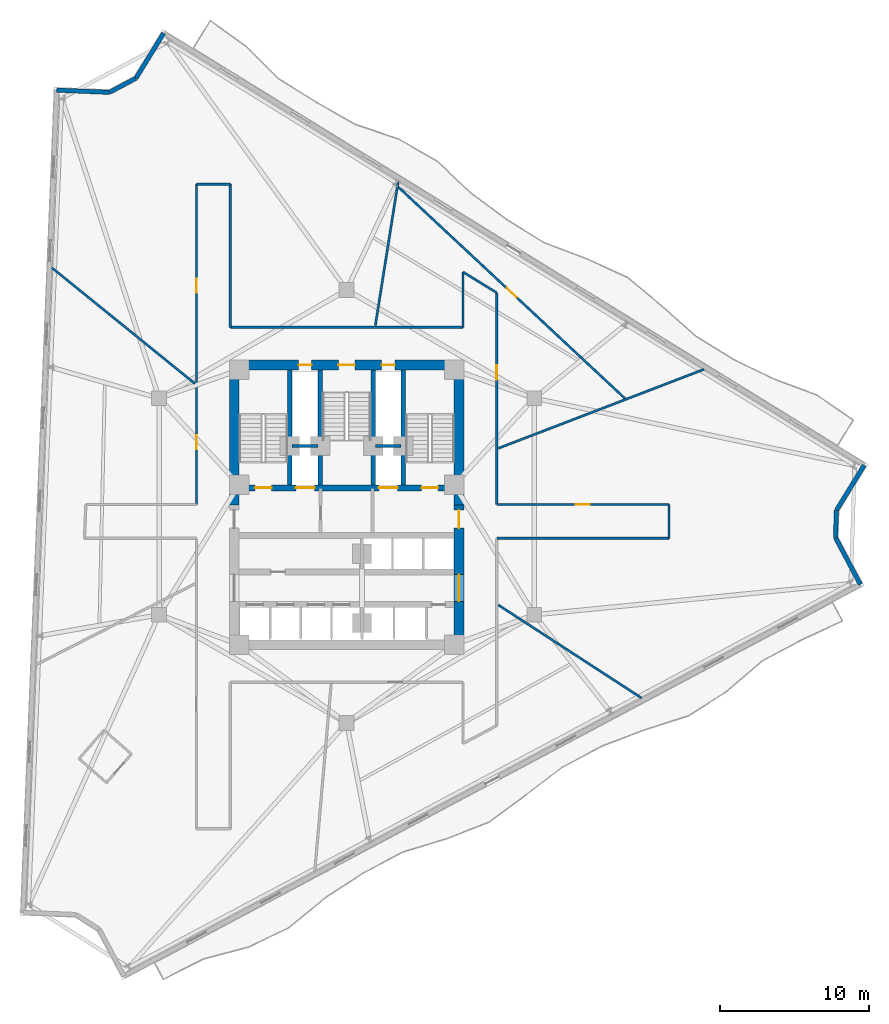
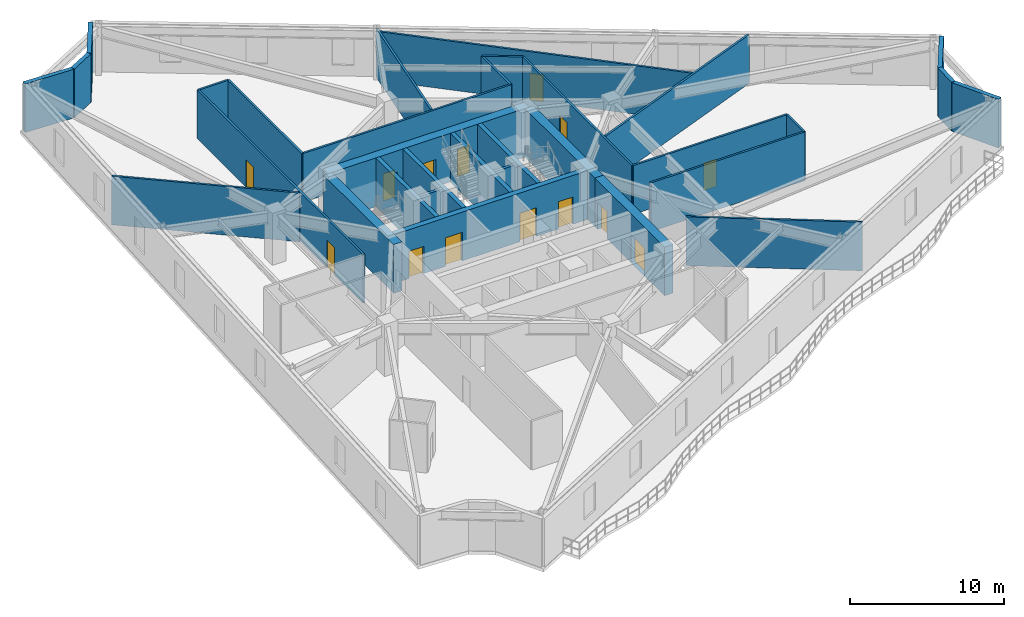
# One storey, part 7 of 11: 32 walls, 14 doors, 14 openings.
"""IFC4 building model written with IfcOpenShell, lengths in metres."""

from ifc_helpers import new_model, si_unit, direction, frame, frame_2d, origin, place, context, subcontext, project, spatial, rectangle, extrude, material, layer, layer_set, type_object, element, fill, save


model = new_model("IFC4")

# Units and contexts
model_context = context("Model", 3, precision=1e-05, world=origin(), true_north=direction((0.0, 1.0)))
body_context = subcontext(model_context, "Body", "Model", "MODEL_VIEW")
ifc_project = project(units=[si_unit("LENGTHUNIT", "METRE"), si_unit("AREAUNIT", "SQUARE_METRE"), si_unit("VOLUMEUNIT", "CUBIC_METRE"), si_unit("PLANEANGLEUNIT", "RADIAN"), si_unit("MASSUNIT", "GRAM", prefix="KILO")], contexts=[model_context])

# Site, building, storey
site_placement = place(None, origin())
site = spatial("IfcSite", under=ifc_project, at=site_placement, CompositionType="ELEMENT")
building_placement = place(site_placement, origin())
building = spatial("IfcBuilding", under=site, at=building_placement, Name="Apsidion Concourse Tower", CompositionType="ELEMENT")
storey_placement = place(building_placement, frame((0.0, 0.0, 186.0)))
storey = spatial("IfcBuildingStorey", under=building, at=storey_placement, Name="L43", CompositionType="ELEMENT", Elevation=186.0)

# Walls
ifc_material_1 = material(Name="Precast concrete C40/50", Category="concrete")
ifc_layer_1 = layer(ifc_material_1, 0.300048828125)
ifc_layer_set_1 = layer_set([ifc_layer_1], Name="Precast concrete C40/50")
wall_type_1 = type_object("IfcWallType", Name="WL-EXT-300", PredefinedType="STANDARD", material=ifc_layer_set_1)
wall_1_placement = place(storey_placement, frame((34.653076171875, 2.76171875, 0.0), z_axis=(0.0, 0.0, 1.0), x_axis=(-0.524920336071, -0.85115136185, 0.0)))
element("IfcWall", 1, at=wall_1_placement, inside=storey, type_object=wall_type_1, Name="L43 Precast Stone Facade Wall 02", PredefinedType="STANDARD", context=body_context, shape_type="SweptSolid", body=[
    extrude(rectangle(XDim=3.541259765625, YDim=0.300048828125, at=frame_2d((1.7705078125, 0.0))), origin(), (0.0, 0.0, 1.0), 3.85009765625),
])
wall_2_placement = place(storey_placement, frame((32.794189453125, -0.25244140625, 0.0), z_axis=(0.0, 0.0, 1.0), x_axis=(-0.031873247483, -0.999491918974, 0.0)))
element("IfcWall", 2, at=wall_2_placement, inside=storey, type_object=wall_type_1, Name="L43 Precast Stone Facade Wall 03", PredefinedType="STANDARD", context=body_context, shape_type="SweptSolid", body=[
    extrude(rectangle(XDim=1.83837890625, YDim=0.300048828125, at=frame_2d((0.919189453125, 0.0))), origin(), (0.0, 0.0, 1.0), 3.85009765625),
])
wall_3_placement = place(storey_placement, frame((32.735595703125, -2.08984375, 0.0), z_axis=(0.0, 0.0, 1.0), x_axis=(0.469464339615, -0.882951433449, 0.0)))
element("IfcWall", 3, at=wall_3_placement, inside=storey, type_object=wall_type_1, Name="L43 Precast Stone Facade Wall 04", PredefinedType="STANDARD", context=body_context, shape_type="SweptSolid", body=[
    extrude(rectangle(XDim=3.54150390625, YDim=0.300048828125, at=frame_2d((1.770751953125, 0.0))), origin(), (0.0, 0.0, 1.0), 3.85009765625),
])
wall_4_placement = place(storey_placement, frame((-19.418212890625, 27.880126953125, 0.0), z_axis=(0.0, 0.0, 1.0), x_axis=(0.999167250485, -0.040802028853, 0.0)))
element("IfcWall", 4, at=wall_4_placement, inside=storey, type_object=wall_type_1, Name="L43 Precast Stone Facade Wall 10", PredefinedType="STANDARD", context=body_context, shape_type="SweptSolid", body=[
    extrude(rectangle(XDim=3.542236328125, YDim=0.300048828125, at=frame_2d((1.77099609375, 0.0))), origin(), (0.0, 0.0, 1.0), 3.85009765625),
])
wall_5_placement = place(storey_placement, frame((-15.87890625, 27.735595703125, 0.0), z_axis=(0.0, 0.0, 1.0), x_axis=(0.882930579665, 0.469503558552, 0.0)))
element("IfcWall", 5, at=wall_5_placement, inside=storey, type_object=wall_type_1, Name="L43 Precast Stone Facade Wall 11", PredefinedType="STANDARD", context=body_context, shape_type="SweptSolid", body=[
    extrude(rectangle(XDim=1.998291015625, YDim=0.300048828125, at=frame_2d((0.9990234375, 0.0))), origin(), (0.0, 0.0, 1.0), 3.85009765625),
])
wall_6_placement = place(storey_placement, frame((-14.114501953125, 28.673828125, 0.0), z_axis=(0.0, 0.0, 1.0), x_axis=(0.524897025004, 0.851165737763, 0.0)))
element("IfcWall", 6, at=wall_6_placement, inside=storey, type_object=wall_type_1, Name="L43 Precast Stone Facade Wall 12", PredefinedType="STANDARD", context=body_context, shape_type="SweptSolid", body=[
    extrude(rectangle(XDim=3.54248046875, YDim=0.300048828125, at=frame_2d((1.771240234375, 0.0))), origin(), (0.0, 0.0, 1.0), 3.85009765625),
])

# Wall, openings, doors
ifc_material_2 = material(Name="Gypsum plasterboard partition")
ifc_layer_2 = layer(ifc_material_2, 0.14990234375)
ifc_layer_set_2 = layer_set([ifc_layer_2], Name="Gypsum plasterboard partition")
wall_type_2 = type_object("IfcWallType", Name="WL-INT-PAR-150", PredefinedType="PARTITIONING", material=ifc_layer_set_2)
wall_7_placement = place(storey_placement, frame((-10.050048828125, 0.1298828125, 0.0), z_axis=(0.0, 0.0, 1.0), x_axis=(0.0, 1.0, 0.0)))
wall_7 = element("IfcWall", 7, at=wall_7_placement, inside=storey, type_object=wall_type_2, Name="L43 Interior Partition WL-L43-CORR-10", PredefinedType="PARTITIONING", context=body_context, shape_type="SweptSolid", body=[
    extrude(rectangle(XDim=21.4501953125, YDim=0.14990234375, at=frame_2d((10.72509765625, 0.0))), origin(), (0.0, 0.0, 1.0), 3.85009765625),
])
opening_1_placement = place(wall_7_placement, frame((14.171142578125, 0.0, 0.0)))
opening_1 = element("IfcOpeningElement", 8, at=opening_1_placement, cuts=wall_7, Name="Opening D-01L", PredefinedType="OPENING", context=body_context, shape_type="SweptSolid", body=[
    extrude(rectangle(XDim=0.949951171875, YDim=2.14990234375, at=frame_2d((0.47509765625, 1.074951171875))), frame((0.0, 0.0849609375, 0.0), z_axis=(0.0, -1.0, 0.0), x_axis=(1.0, 0.0, 0.0)), (0.0, 0.0, 1.0), 0.169921875),
])
opening_2_placement = place(wall_7_placement, frame((3.69921875, 0.0, 0.0)))
opening_2 = element("IfcOpeningElement", 9, at=opening_2_placement, cuts=wall_7, Name="Opening D-01R", PredefinedType="OPENING", context=body_context, shape_type="SweptSolid", body=[
    extrude(rectangle(XDim=0.949951171875, YDim=2.14990234375, at=frame_2d((0.47509765625, 1.074951171875))), frame((0.0, 0.0849609375, 0.0), z_axis=(0.0, -1.0, 0.0), x_axis=(1.0, 0.0, 0.0)), (0.0, 0.0, 1.0), 0.169921875),
])
ifc_material_3 = material(Name="Brushed stainless steel 316", Category="steel")
door_type_1 = type_object("IfcDoorType", Name="DR-INT-D01L", OperationType="SINGLE_SWING_LEFT", PredefinedType="DOOR", material=ifc_material_3)
door_1_placement = place(opening_1_placement, origin())
door_1 = element("IfcDoor", 10, at=door_1_placement, inside=storey, type_object=door_type_1, Name="L43 Corridor Entry Door 05", OperationType="SINGLE_SWING_LEFT", OverallHeight=2.14990234375, OverallWidth=0.949951171875, PredefinedType="DOOR", context=body_context, shape_type="SweptSolid", body=[
    extrude(rectangle(XDim=0.949951171875, YDim=2.14990234375, at=frame_2d((0.47509765625, 1.074951171875))), frame((0.0, 0.02490234375, 0.0), z_axis=(0.0, -1.0, 0.0), x_axis=(1.0, 0.0, 0.0)), (0.0, 0.0, 1.0), 0.050048828125),
])
fill(opening_1, door_1)
door_type_2 = type_object("IfcDoorType", Name="DR-INT-D01R", OperationType="SINGLE_SWING_RIGHT", PredefinedType="DOOR", material=ifc_material_3)
door_2_placement = place(opening_2_placement, origin())
door_2 = element("IfcDoor", 11, at=door_2_placement, inside=storey, type_object=door_type_2, Name="L43 Corridor Entry Door 06", OperationType="SINGLE_SWING_RIGHT", OverallHeight=2.14990234375, OverallWidth=0.949951171875, PredefinedType="DOOR", context=body_context, shape_type="SweptSolid", body=[
    extrude(rectangle(XDim=0.949951171875, YDim=2.14990234375, at=frame_2d((0.47509765625, 1.074951171875))), frame((0.0, 0.02490234375, 0.0), z_axis=(0.0, -1.0, 0.0), x_axis=(1.0, 0.0, 0.0)), (0.0, 0.0, 1.0), 0.050048828125),
])
fill(opening_2, door_2)

# Walls
wall_8_placement = place(storey_placement, frame((-10.050048828125, 21.580078125, 0.0), z_axis=(0.0, 0.0, 1.0), x_axis=(1.0, 0.0, 0.0)))
element("IfcWall", 12, at=wall_8_placement, inside=storey, type_object=wall_type_2, Name="L43 Interior Partition WL-L43-CORR-11", PredefinedType="PARTITIONING", context=body_context, shape_type="SweptSolid", body=[
    extrude(rectangle(XDim=2.260009765625, YDim=0.14990234375, at=frame_2d((1.1298828125, 0.0))), origin(), (0.0, 0.0, 1.0), 3.85009765625),
])
wall_9_placement = place(storey_placement, frame((-7.7900390625, 21.580078125, 0.0), z_axis=(0.0, 0.0, 1.0), x_axis=(0.0, -1.0, 0.0)))
element("IfcWall", 13, at=wall_9_placement, inside=storey, type_object=wall_type_2, Name="L43 Interior Partition WL-L43-CORR-12", PredefinedType="PARTITIONING", context=body_context, shape_type="SweptSolid", body=[
    extrude(rectangle(XDim=9.580078125, YDim=0.14990234375, at=frame_2d((4.7900390625, 0.0))), origin(), (0.0, 0.0, 1.0), 3.85009765625),
])
wall_10_placement = place(storey_placement, frame((-7.7900390625, 12.0, 0.0), z_axis=(0.0, 0.0, 1.0), x_axis=(1.0, 0.0, 0.0)))
element("IfcWall", 14, at=wall_10_placement, inside=storey, type_object=wall_type_2, Name="L43 Interior Partition WL-L43-CORR-13", PredefinedType="PARTITIONING", context=body_context, shape_type="SweptSolid", body=[
    extrude(rectangle(XDim=15.580078125, YDim=0.14990234375, at=frame_2d((7.7900390625, 0.0))), origin(), (0.0, 0.0, 1.0), 3.85009765625),
])
wall_11_placement = place(storey_placement, frame((7.7900390625, 12.0, 0.0), z_axis=(0.0, 0.0, 1.0), x_axis=(0.0, 1.0, 0.0)))
element("IfcWall", 15, at=wall_11_placement, inside=storey, type_object=wall_type_2, Name="L43 Interior Partition WL-L43-CORR-14", PredefinedType="PARTITIONING", context=body_context, shape_type="SweptSolid", body=[
    extrude(rectangle(XDim=3.703125, YDim=0.14990234375, at=frame_2d((1.8515625, 0.0))), origin(), (0.0, 0.0, 1.0), 3.85009765625),
])
wall_12_placement = place(storey_placement, frame((7.7900390625, 15.703125, 0.0), z_axis=(0.0, 0.0, 1.0), x_axis=(0.851190724913, -0.52485650403, 0.0)))
element("IfcWall", 16, at=wall_12_placement, inside=storey, type_object=wall_type_2, Name="L43 Interior Partition WL-L43-CORR-15", PredefinedType="PARTITIONING", context=body_context, shape_type="SweptSolid", body=[
    extrude(rectangle(XDim=2.655029296875, YDim=0.14990234375, at=frame_2d((1.32763671875, 0.0))), origin(), (0.0, 0.0, 1.0), 3.85009765625),
])

# Wall, opening, door
wall_13_placement = place(storey_placement, frame((10.050048828125, 14.3095703125, 0.0), z_axis=(0.0, 0.0, 1.0), x_axis=(0.0, -1.0, 0.0)))
wall_13 = element("IfcWall", 17, at=wall_13_placement, inside=storey, type_object=wall_type_2, Name="L43 Interior Partition WL-L43-CORR-16", PredefinedType="PARTITIONING", context=body_context, shape_type="SweptSolid", body=[
    extrude(rectangle(XDim=14.1796875, YDim=0.14990234375, at=frame_2d((7.08984375, 0.0))), origin(), (0.0, 0.0, 1.0), 3.85009765625),
])
opening_3_placement = place(wall_13_placement, frame((4.860595703125, 0.0, 0.0)))
opening_3 = element("IfcOpeningElement", 18, at=opening_3_placement, cuts=wall_13, Name="Opening D-01R", PredefinedType="OPENING", context=body_context, shape_type="SweptSolid", body=[
    extrude(rectangle(XDim=0.949951171875, YDim=2.14990234375, at=frame_2d((0.47509765625, 1.074951171875))), frame((0.0, 0.0849609375, 0.0), z_axis=(0.0, -1.0, 0.0), x_axis=(1.0, 0.0, 0.0)), (0.0, 0.0, 1.0), 0.169921875),
])
door_3_placement = place(opening_3_placement, origin())
door_3 = element("IfcDoor", 19, at=door_3_placement, inside=storey, type_object=door_type_2, Name="L43 Corridor Entry Door 04", OperationType="SINGLE_SWING_RIGHT", OverallHeight=2.14990234375, OverallWidth=0.949951171875, PredefinedType="DOOR", context=body_context, shape_type="SweptSolid", body=[
    extrude(rectangle(XDim=0.949951171875, YDim=2.14990234375, at=frame_2d((0.47509765625, 1.074951171875))), frame((0.0, 0.02490234375, 0.0), z_axis=(0.0, -1.0, 0.0), x_axis=(1.0, 0.0, 0.0)), (0.0, 0.0, 1.0), 0.050048828125),
])
fill(opening_3, door_3)

wall_14_placement = place(storey_placement, frame((10.050048828125, 0.1298828125, 0.0), z_axis=(0.0, 0.0, 1.0), x_axis=(1.0, 0.0, 0.0)))
wall_14 = element("IfcWall", 20, at=wall_14_placement, inside=storey, type_object=wall_type_2, Name="L43 Interior Partition WL-L43-CORR-17", PredefinedType="PARTITIONING", context=body_context, shape_type="SweptSolid", body=[
    extrude(rectangle(XDim=11.530029296875, YDim=0.14990234375, at=frame_2d((5.76513671875, 0.0))), origin(), (0.0, 0.0, 1.0), 3.85009765625),
])
opening_4_placement = place(wall_14_placement, frame((5.2900390625, 0.0, 0.0)))
opening_4 = element("IfcOpeningElement", 21, at=opening_4_placement, cuts=wall_14, Name="Opening D-01L", PredefinedType="OPENING", context=body_context, shape_type="SweptSolid", body=[
    extrude(rectangle(XDim=0.949951171875, YDim=2.14990234375, at=frame_2d((0.47509765625, 1.074951171875))), frame((0.0, 0.0849609375, 0.0), z_axis=(0.0, -1.0, 0.0), x_axis=(1.0, 0.0, 0.0)), (0.0, 0.0, 1.0), 0.169921875),
])
door_4_placement = place(opening_4_placement, origin())
door_4 = element("IfcDoor", 22, at=door_4_placement, inside=storey, type_object=door_type_1, Name="L43 Corridor Entry Door 03", OperationType="SINGLE_SWING_LEFT", OverallHeight=2.14990234375, OverallWidth=0.949951171875, PredefinedType="DOOR", context=body_context, shape_type="SweptSolid", body=[
    extrude(rectangle(XDim=0.949951171875, YDim=2.14990234375, at=frame_2d((0.47509765625, 1.074951171875))), frame((0.0, 0.02490234375, 0.0), z_axis=(0.0, -1.0, 0.0), x_axis=(1.0, 0.0, 0.0)), (0.0, 0.0, 1.0), 0.050048828125),
])
fill(opening_4, door_4)

# Walls
wall_15_placement = place(storey_placement, frame((21.580078125, 0.1298828125, 0.0), z_axis=(0.0, 0.0, 1.0), x_axis=(0.0, -1.0, 0.0)))
element("IfcWall", 23, at=wall_15_placement, inside=storey, type_object=wall_type_2, Name="L43 Interior Partition WL-L43-CORR-18", PredefinedType="PARTITIONING", context=body_context, shape_type="SweptSolid", body=[
    extrude(rectangle(XDim=2.259765625, YDim=0.14990234375, at=frame_2d((1.1298828125, 0.0))), origin(), (0.0, 0.0, 1.0), 3.85009765625),
])
wall_16_placement = place(storey_placement, frame((21.580078125, -2.1298828125, 0.0), z_axis=(0.0, 0.0, 1.0), x_axis=(-1.0, 0.0, 0.0)))
element("IfcWall", 24, at=wall_16_placement, inside=storey, type_object=wall_type_2, Name="L43 Interior Partition WL-L43-CORR-19", PredefinedType="PARTITIONING", context=body_context, shape_type="SweptSolid", body=[
    extrude(rectangle(XDim=11.530029296875, YDim=0.14990234375, at=frame_2d((5.76513671875, 0.0))), origin(), (0.0, 0.0, 1.0), 3.85009765625),
])
wall_17_placement = place(storey_placement, frame((10.155029296875, 3.898193359375, 0.0), z_axis=(0.0, 0.0, 1.0), x_axis=(0.933582173368, 0.358363398759, 0.0)))
element("IfcWall", 25, at=wall_17_placement, inside=storey, type_object=wall_type_2, Name="L43 Interior Partition WL-L43-RAD-01-1", PredefinedType="PARTITIONING", context=body_context, shape_type="SweptSolid", body=[
    extrude(rectangle(XDim=14.74951171875, YDim=0.14990234375, at=frame_2d((7.374755859375, 0.0))), origin(), (0.0, 0.0, 1.0), 3.85009765625),
])
wall_18_placement = place(storey_placement, frame((1.917236328125, 12.10498046875, 0.0), z_axis=(0.0, 0.0, 1.0), x_axis=(0.156446237386, 0.987686475967, 0.0)))
element("IfcWall", 26, at=wall_18_placement, inside=storey, type_object=wall_type_2, Name="L43 Interior Partition WL-L43-RAD-02-1", PredefinedType="PARTITIONING", context=body_context, shape_type="SweptSolid", body=[
    extrude(rectangle(XDim=9.823486328125, YDim=0.14990234375, at=frame_2d((4.91162109375, 0.0))), origin(), (0.0, 0.0, 1.0), 3.85009765625),
])
wall_19_placement = place(storey_placement, frame((-10.155029296875, 8.223388671875, 0.0), z_axis=(0.0, 0.0, 1.0), x_axis=(-0.777144819035, 0.629321801821, 0.0)))
element("IfcWall", 27, at=wall_19_placement, inside=storey, type_object=wall_type_2, Name="L43 Interior Partition WL-L43-RAD-03-1", PredefinedType="PARTITIONING", context=body_context, shape_type="SweptSolid", body=[
    extrude(rectangle(XDim=12.332275390625, YDim=0.14990234375, at=frame_2d((6.166015625, 0.0))), origin(), (0.0, 0.0, 1.0), 3.85009765625),
])
wall_20_placement = place(storey_placement, frame((10.155029296875, -6.5947265625, 0.0), z_axis=(0.0, 0.0, 1.0), x_axis=(0.838665527381, -0.544646796725, 0.0)))
element("IfcWall", 28, at=wall_20_placement, inside=storey, type_object=wall_type_2, Name="L43 Interior Partition WL-L43-RAD-06-1", PredefinedType="PARTITIONING", context=body_context, shape_type="SweptSolid", body=[
    extrude(rectangle(XDim=11.43310546875, YDim=0.14990234375, at=frame_2d((5.716552734375, 0.0))), origin(), (0.0, 0.0, 1.0), 3.85009765625),
])

# Wall, opening, door
wall_21_placement = place(storey_placement, frame((18.675048828125, 7.195556640625, 0.0), z_axis=(0.0, 0.0, 1.0), x_axis=(-0.731248253025, 0.682111422312, 0.0)))
wall_21 = element("IfcWall", 29, at=wall_21_placement, inside=storey, type_object=wall_type_2, Name="L43 Interior Partition WL-L43-CHD-OFS03", PredefinedType="PARTITIONING", context=body_context, shape_type="SweptSolid", body=[
    extrude(rectangle(XDim=20.863037109375, YDim=0.14990234375, at=frame_2d((10.431640625, 0.0))), origin(), (0.0, 0.0, 1.0), 3.85009765625),
])
opening_5_placement = place(wall_21_placement, frame((9.981689453125, 0.0, 0.0)))
opening_5 = element("IfcOpeningElement", 30, at=opening_5_placement, cuts=wall_21, Name="Opening D-02R", PredefinedType="OPENING", context=body_context, shape_type="SweptSolid", body=[
    extrude(rectangle(XDim=0.89990234375, YDim=2.10009765625, at=frame_2d((0.449951171875, 1.050048828125))), frame((0.0, 0.0849609375, 0.0), z_axis=(0.0, -1.0, 0.0), x_axis=(1.0, 0.0, 0.0)), (0.0, 0.0, 1.0), 0.169921875),
])
ifc_material_4 = material(Name="Anodised aluminium EN AW-6063 T6", Category="aluminium")
door_type_3 = type_object("IfcDoorType", Name="DR-INT-D02R", OperationType="SINGLE_SWING_RIGHT", PredefinedType="DOOR", material=ifc_material_4)
door_5_placement = place(opening_5_placement, origin())
door_5 = element("IfcDoor", 31, at=door_5_placement, inside=storey, type_object=door_type_3, Name="L43 Suite Connecting Door OFS03", OperationType="SINGLE_SWING_RIGHT", OverallHeight=2.10009765625, OverallWidth=0.89990234375, PredefinedType="DOOR", context=body_context, shape_type="SweptSolid", body=[
    extrude(rectangle(XDim=0.89990234375, YDim=2.10009765625, at=frame_2d((0.449951171875, 1.050048828125))), frame((0.0, 0.02490234375, 0.0), z_axis=(0.0, -1.0, 0.0), x_axis=(1.0, 0.0, 0.0)), (0.0, 0.0, 1.0), 0.050048828125),
])
fill(opening_5, door_5)

# Walls
ifc_layer_3 = layer(ifc_material_2, 0.199951171875)
ifc_layer_set_3 = layer_set([ifc_layer_3], Name="Gypsum plasterboard partition")
wall_type_3 = type_object("IfcWallType", Name="WL-INT-PAR-200", PredefinedType="PARTITIONING", material=ifc_layer_set_3)
for number, where, z_axis, x_axis, name in (
    (32, (-3.64990234375, 4.050048828125, 0.0), (0.0, 0.0, 1.0), (1.0, 0.0, 0.0), "L43 Interior Partition WL-L43-FF1-N"),
    (33, (1.919921875, 4.050048828125, 0.0), (0.0, 0.0, 1.0), (1.0, 0.0, 0.0), "L43 Interior Partition WL-L43-FF2-N"),
):
    element("IfcWall", number, at=place(storey_placement, frame(where, z_axis=z_axis, x_axis=x_axis)), inside=storey, type_object=wall_type_3, Name=name, PredefinedType="PARTITIONING", context=body_context, shape_type="SweptSolid", body=[
        extrude(rectangle(XDim=1.72998046875, YDim=0.199951171875, at=frame_2d((0.864990234375, 0.0))), origin(), (0.0, 0.0, 1.0), 3.85009765625),
    ])
ifc_material_5 = material(Name="Concrete C50/60", Category="concrete")
ifc_layer_4 = layer(ifc_material_5, 0.300048828125)
ifc_layer_set_4 = layer_set([ifc_layer_4], Name="Concrete C50/60")
wall_type_4 = type_object("IfcWallType", Name="WL-SH-300", PredefinedType="SHEAR", material=ifc_layer_set_4)
for number, where, z_axis, x_axis, name in (
    (34, (-3.800048828125, 1.449951171875, 0.0), (0.0, 0.0, 1.0), (0.0, 1.0, 0.0), "L43 Central Core Shear Wall V1"),
    (35, (-1.77490234375, 1.449951171875, 0.0), (0.0, 0.0, 1.0), (0.0, 1.0, 0.0), "L43 Central Core Shear Wall V2"),
    (36, (1.77490234375, 1.449951171875, 0.0), (0.0, 0.0, 1.0), (0.0, 1.0, 0.0), "L43 Central Core Shear Wall V3"),
    (37, (3.800048828125, 1.449951171875, 0.0), (0.0, 0.0, 1.0), (0.0, 1.0, 0.0), "L43 Central Core Shear Wall V4"),
):
    element("IfcWall", number, at=place(storey_placement, frame(where, z_axis=z_axis, x_axis=x_axis)), inside=storey, type_object=wall_type_4, Name=name, PredefinedType="SHEAR", context=body_context, shape_type="SweptSolid", body=[
        extrude(rectangle(XDim=7.699951171875, YDim=0.300048828125, at=frame_2d((3.85009765625, 0.0))), origin(), (0.0, 0.0, 1.0), 3.85009765625),
    ])

# Wall, openings, doors
ifc_layer_5 = layer(ifc_material_5, 0.39990234375)
ifc_layer_set_5 = layer_set([ifc_layer_5], Name="Concrete C50/60")
wall_type_5 = type_object("IfcWallType", Name="WL-SH-400", PredefinedType="SHEAR", material=ifc_layer_set_5)
wall_22_placement = place(storey_placement, frame((-7.199951171875, 1.25, 0.0), z_axis=(0.0, 0.0, 1.0), x_axis=(1.0, 0.0, 0.0)))
wall_22 = element("IfcWall", 38, at=wall_22_placement, inside=storey, type_object=wall_type_5, Name="L43 Central Core Shear Wall M1", PredefinedType="SHEAR", context=body_context, shape_type="SweptSolid", body=[
    extrude(rectangle(XDim=14.39990234375, YDim=0.39990234375, at=frame_2d((7.199951171875, 0.0))), origin(), (0.0, 0.0, 1.0), 3.85009765625),
])
opening_6_placement = place(wall_22_placement, frame((3.794921875, 0.0, 0.0)))
opening_6 = element("IfcOpeningElement", 39, at=opening_6_placement, cuts=wall_22, Name="Opening LD-FF", PredefinedType="OPENING", context=body_context, shape_type="SweptSolid", body=[
    extrude(rectangle(XDim=1.25, YDim=2.25, at=frame_2d((0.625, 1.125))), frame((0.0, 0.2099609375, 0.0), z_axis=(0.0, -1.0, 0.0), x_axis=(1.0, 0.0, 0.0)), (0.0, 0.0, 1.0), 0.419921875),
])
opening_7_placement = place(wall_22_placement, frame((9.35498046875, 0.0, 0.0)))
opening_7 = element("IfcOpeningElement", 40, at=opening_7_placement, cuts=wall_22, Name="Opening LD-FF", PredefinedType="OPENING", context=body_context, shape_type="SweptSolid", body=[
    extrude(rectangle(XDim=1.25, YDim=2.25, at=frame_2d((0.625, 1.125))), frame((0.0, 0.2099609375, 0.0), z_axis=(0.0, -1.0, 0.0), x_axis=(1.0, 0.0, 0.0)), (0.0, 0.0, 1.0), 0.419921875),
])
opening_8_placement = place(wall_22_placement, frame((1.074951171875, 0.0, 0.0)))
opening_8 = element("IfcOpeningElement", 41, at=opening_8_placement, cuts=wall_22, Name="Opening D-STL", PredefinedType="OPENING", context=body_context, shape_type="SweptSolid", body=[
    extrude(rectangle(XDim=1.10009765625, YDim=2.14990234375, at=frame_2d((0.550048828125, 1.074951171875))), frame((0.0, 0.2099609375, 0.0), z_axis=(0.0, -1.0, 0.0), x_axis=(1.0, 0.0, 0.0)), (0.0, 0.0, 1.0), 0.419921875),
])
opening_9_placement = place(wall_22_placement, frame((12.22509765625, 0.0, 0.0)))
opening_9 = element("IfcOpeningElement", 42, at=opening_9_placement, cuts=wall_22, Name="Opening D-STR", PredefinedType="OPENING", context=body_context, shape_type="SweptSolid", body=[
    extrude(rectangle(XDim=1.10009765625, YDim=2.14990234375, at=frame_2d((0.550048828125, 1.074951171875))), frame((0.0, 0.2099609375, 0.0), z_axis=(0.0, -1.0, 0.0), x_axis=(1.0, 0.0, 0.0)), (0.0, 0.0, 1.0), 0.419921875),
])
door_type_4 = type_object("IfcDoorType", Name="DR-INT-ST1L", OperationType="SINGLE_SWING_LEFT", PredefinedType="DOOR", material=ifc_material_3)
door_6_placement = place(opening_8_placement, origin())
door_6 = element("IfcDoor", 43, at=door_6_placement, inside=storey, type_object=door_type_4, Name="L43 Core Exit Stair ST1 Door", OperationType="SINGLE_SWING_LEFT", OverallHeight=2.14990234375, OverallWidth=1.10009765625, PredefinedType="DOOR", context=body_context, shape_type="SweptSolid", body=[
    extrude(rectangle(XDim=1.10009765625, YDim=2.14990234375, at=frame_2d((0.550048828125, 1.074951171875))), frame((0.0, 0.02490234375, 0.0), z_axis=(0.0, -1.0, 0.0), x_axis=(1.0, 0.0, 0.0)), (0.0, 0.0, 1.0), 0.050048828125),
])
fill(opening_8, door_6)
door_type_5 = type_object("IfcDoorType", Name="DR-INT-ST1R", OperationType="SINGLE_SWING_RIGHT", PredefinedType="DOOR", material=ifc_material_3)
door_7_placement = place(opening_9_placement, origin())
door_7 = element("IfcDoor", 44, at=door_7_placement, inside=storey, type_object=door_type_5, Name="L43 Core Exit Stair ST2 Door", OperationType="SINGLE_SWING_RIGHT", OverallHeight=2.14990234375, OverallWidth=1.10009765625, PredefinedType="DOOR", context=body_context, shape_type="SweptSolid", body=[
    extrude(rectangle(XDim=1.10009765625, YDim=2.14990234375, at=frame_2d((0.550048828125, 1.074951171875))), frame((0.0, 0.02490234375, 0.0), z_axis=(0.0, -1.0, 0.0), x_axis=(1.0, 0.0, 0.0)), (0.0, 0.0, 1.0), 0.050048828125),
])
fill(opening_9, door_7)
door_type_6 = type_object("IfcDoorType", Name="DR-LD-FSAE", OperationType="DOUBLE_DOOR_SLIDING", PredefinedType="DOOR", material=ifc_material_3)
door_8_placement = place(opening_6_placement, origin())
door_8 = element("IfcDoor", 45, at=door_8_placement, inside=storey, type_object=door_type_6, Name="L43 Lift Landing Door FF1", OperationType="DOUBLE_DOOR_SLIDING", OverallHeight=2.25, OverallWidth=1.25, PredefinedType="DOOR", context=body_context, shape_type="SweptSolid", body=[
    extrude(rectangle(XDim=1.25, YDim=2.25, at=frame_2d((0.625, 1.125))), frame((0.0, 0.02490234375, 0.0), z_axis=(0.0, -1.0, 0.0), x_axis=(1.0, 0.0, 0.0)), (0.0, 0.0, 1.0), 0.050048828125),
])
fill(opening_6, door_8)
door_9_placement = place(opening_7_placement, origin())
door_9 = element("IfcDoor", 46, at=door_9_placement, inside=storey, type_object=door_type_6, Name="L43 Lift Landing Door FF2", OperationType="DOUBLE_DOOR_SLIDING", OverallHeight=2.25, OverallWidth=1.25, PredefinedType="DOOR", context=body_context, shape_type="SweptSolid", body=[
    extrude(rectangle(XDim=1.25, YDim=2.25, at=frame_2d((0.625, 1.125))), frame((0.0, 0.02490234375, 0.0), z_axis=(0.0, -1.0, 0.0), x_axis=(1.0, 0.0, 0.0)), (0.0, 0.0, 1.0), 0.050048828125),
])
fill(opening_7, door_9)

ifc_layer_6 = layer(ifc_material_5, 0.64990234375)
ifc_layer_set_6 = layer_set([ifc_layer_6], Name="Concrete C50/60")
wall_type_6 = type_object("IfcWallType", Name="WL-SH-650", PredefinedType="SHEAR", material=ifc_layer_set_6)
wall_23_placement = place(storey_placement, frame((-7.52490234375, 9.47509765625, 0.0), z_axis=(0.0, 0.0, 1.0), x_axis=(1.0, 0.0, 0.0)))
wall_23 = element("IfcWall", 47, at=wall_23_placement, inside=storey, type_object=wall_type_6, Name="L43 Central Core Shear Wall N", PredefinedType="SHEAR", context=body_context, shape_type="SweptSolid", body=[
    extrude(rectangle(XDim=15.0498046875, YDim=0.64990234375, at=frame_2d((7.52490234375, 0.0))), origin(), (0.0, 0.0, 1.0), 3.85009765625),
])
opening_10_placement = place(wall_23_placement, frame((6.97509765625, 0.0, 0.0)))
opening_10 = element("IfcOpeningElement", 48, at=opening_10_placement, cuts=wall_23, Name="Opening D-STL", PredefinedType="OPENING", context=body_context, shape_type="SweptSolid", body=[
    extrude(rectangle(XDim=1.10009765625, YDim=2.14990234375, at=frame_2d((0.550048828125, 1.074951171875))), frame((0.0, 0.3349609375, 0.0), z_axis=(0.0, -1.0, 0.0), x_axis=(1.0, 0.0, 0.0)), (0.0, 0.0, 1.0), 0.669921875),
])
opening_11_placement = place(wall_23_placement, frame((4.304931640625, 0.0, 0.0)))
opening_11 = element("IfcOpeningElement", 49, at=opening_11_placement, cuts=wall_23, Name="Opening D-05L", PredefinedType="OPENING", context=body_context, shape_type="SweptSolid", body=[
    extrude(rectangle(XDim=0.8798828125, YDim=2.14990234375, at=frame_2d((0.43994140625, 1.074951171875))), frame((0.0, 0.3349609375, 0.0), z_axis=(0.0, -1.0, 0.0), x_axis=(1.0, 0.0, 0.0)), (0.0, 0.0, 1.0), 0.669921875),
])
opening_12_placement = place(wall_23_placement, frame((9.864990234375, 0.0, 0.0)))
opening_12 = element("IfcOpeningElement", 50, at=opening_12_placement, cuts=wall_23, Name="Opening D-05R", PredefinedType="OPENING", context=body_context, shape_type="SweptSolid", body=[
    extrude(rectangle(XDim=0.8798828125, YDim=2.14990234375, at=frame_2d((0.43994140625, 1.074951171875))), frame((0.0, 0.3349609375, 0.0), z_axis=(0.0, -1.0, 0.0), x_axis=(1.0, 0.0, 0.0)), (0.0, 0.0, 1.0), 0.669921875),
])
door_type_7 = type_object("IfcDoorType", Name="DR-INT-D05L", OperationType="SINGLE_SWING_LEFT", PredefinedType="DOOR", material=ifc_material_3)
door_10_placement = place(opening_11_placement, origin())
door_10 = element("IfcDoor", 51, at=door_10_placement, inside=storey, type_object=door_type_7, Name="L43 Electrical Riser Shaft Access Door", OperationType="SINGLE_SWING_LEFT", OverallHeight=2.14990234375, OverallWidth=0.8798828125, PredefinedType="DOOR", context=body_context, shape_type="SweptSolid", body=[
    extrude(rectangle(XDim=0.8798828125, YDim=2.14990234375, at=frame_2d((0.43994140625, 1.074951171875))), frame((0.0, 0.02490234375, 0.0), z_axis=(0.0, -1.0, 0.0), x_axis=(1.0, 0.0, 0.0)), (0.0, 0.0, 1.0), 0.050048828125),
])
fill(opening_11, door_10)
door_type_8 = type_object("IfcDoorType", Name="DR-INT-D05R", OperationType="SINGLE_SWING_RIGHT", PredefinedType="DOOR", material=ifc_material_3)
door_11_placement = place(opening_12_placement, origin())
door_11 = element("IfcDoor", 52, at=door_11_placement, inside=storey, type_object=door_type_8, Name="L43 Mechanical Riser Shaft Access Door", OperationType="SINGLE_SWING_RIGHT", OverallHeight=2.14990234375, OverallWidth=0.8798828125, PredefinedType="DOOR", context=body_context, shape_type="SweptSolid", body=[
    extrude(rectangle(XDim=0.8798828125, YDim=2.14990234375, at=frame_2d((0.43994140625, 1.074951171875))), frame((0.0, 0.02490234375, 0.0), z_axis=(0.0, -1.0, 0.0), x_axis=(1.0, 0.0, 0.0)), (0.0, 0.0, 1.0), 0.050048828125),
])
fill(opening_12, door_11)
door_12_placement = place(opening_10_placement, origin())
door_12 = element("IfcDoor", 53, at=door_12_placement, inside=storey, type_object=door_type_4, Name="L43 Core Exit Stair ST3 Door", OperationType="SINGLE_SWING_LEFT", OverallHeight=2.14990234375, OverallWidth=1.10009765625, PredefinedType="DOOR", context=body_context, shape_type="SweptSolid", body=[
    extrude(rectangle(XDim=1.10009765625, YDim=2.14990234375, at=frame_2d((0.550048828125, 1.074951171875))), frame((0.0, 0.02490234375, 0.0), z_axis=(0.0, -1.0, 0.0), x_axis=(1.0, 0.0, 0.0)), (0.0, 0.0, 1.0), 0.050048828125),
])
fill(opening_10, door_12)

# Walls
for number, where, z_axis, x_axis, name in (
    (54, (-7.52490234375, 0.10009765625, 0.0), (0.0, 0.0, 1.0), (0.0, 1.0, 0.0), "L43 Central Core Shear Wall WN"),
    (55, (7.52490234375, 0.10009765625, 0.0), (0.0, 0.0, 1.0), (0.0, 1.0, 0.0), "L43 Central Core Shear Wall EN"),
):
    element("IfcWall", number, at=place(storey_placement, frame(where, z_axis=z_axis, x_axis=x_axis)), inside=storey, type_object=wall_type_6, Name=name, PredefinedType="SHEAR", context=body_context, shape_type="SweptSolid", body=[
        extrude(rectangle(XDim=9.0498046875, YDim=0.64990234375, at=frame_2d((4.52490234375, 0.0))), origin(), (0.0, 0.0, 1.0), 3.85009765625),
    ])

# Wall, openings, doors
wall_24_placement = place(storey_placement, frame((7.52490234375, -8.925048828125, 0.0), z_axis=(0.0, 0.0, 1.0), x_axis=(0.0, 1.0, 0.0)))
wall_24 = element("IfcWall", 56, at=wall_24_placement, inside=storey, type_object=wall_type_6, Name="L43 Central Core Shear Wall ES", PredefinedType="SHEAR", context=body_context, shape_type="SweptSolid", body=[
    extrude(rectangle(XDim=9.025146484375, YDim=0.64990234375, at=frame_2d((4.5126953125, 0.0))), origin(), (0.0, 0.0, 1.0), 3.85009765625),
])
opening_13_placement = place(wall_24_placement, frame((2.56494140625, 0.0, 0.0)))
opening_13 = element("IfcOpeningElement", 57, at=opening_13_placement, cuts=wall_24, Name="Opening D-06D", PredefinedType="OPENING", context=body_context, shape_type="SweptSolid", body=[
    extrude(rectangle(XDim=1.800048828125, YDim=2.199951171875, at=frame_2d((0.89990234375, 1.10009765625))), frame((0.0, 0.3349609375, 0.0), z_axis=(0.0, -1.0, 0.0), x_axis=(1.0, 0.0, 0.0)), (0.0, 0.0, 1.0), 0.669921875),
])
opening_14_placement = place(wall_24_placement, frame((7.47509765625, 0.0, 0.0)))
opening_14 = element("IfcOpeningElement", 58, at=opening_14_placement, cuts=wall_24, Name="Opening D-FFR", PredefinedType="OPENING", context=body_context, shape_type="SweptSolid", body=[
    extrude(rectangle(XDim=1.199951171875, YDim=2.14990234375, at=frame_2d((0.60009765625, 1.074951171875))), frame((0.0, 0.3349609375, 0.0), z_axis=(0.0, -1.0, 0.0), x_axis=(1.0, 0.0, 0.0)), (0.0, 0.0, 1.0), 0.669921875),
])
door_type_9 = type_object("IfcDoorType", Name="DR-INT-D06D", OperationType="DOUBLE_DOOR_SINGLE_SWING", PredefinedType="DOOR", material=ifc_material_3)
door_13_placement = place(opening_13_placement, origin())
door_13 = element("IfcDoor", 59, at=door_13_placement, inside=storey, type_object=door_type_9, Name="L43 Passenger Lift Lobby ES Portal Door", OperationType="DOUBLE_DOOR_SINGLE_SWING", OverallHeight=2.199951171875, OverallWidth=1.800048828125, PredefinedType="DOOR", context=body_context, shape_type="SweptSolid", body=[
    extrude(rectangle(XDim=1.800048828125, YDim=2.199951171875, at=frame_2d((0.89990234375, 1.10009765625))), frame((0.0, 0.02490234375, 0.0), z_axis=(0.0, -1.0, 0.0), x_axis=(1.0, 0.0, 0.0)), (0.0, 0.0, 1.0), 0.050048828125),
])
fill(opening_13, door_13)
door_type_10 = type_object("IfcDoorType", Name="DR-INT-FFR", OperationType="SINGLE_SWING_RIGHT", PredefinedType="DOOR", material=ifc_material_3)
door_14_placement = place(opening_14_placement, origin())
door_14 = element("IfcDoor", 60, at=door_14_placement, inside=storey, type_object=door_type_10, Name="L43 Firefighting Lift Lobby FF2 Door", OperationType="SINGLE_SWING_RIGHT", OverallHeight=2.14990234375, OverallWidth=1.199951171875, PredefinedType="DOOR", context=body_context, shape_type="SweptSolid", body=[
    extrude(rectangle(XDim=1.199951171875, YDim=2.14990234375, at=frame_2d((0.60009765625, 1.074951171875))), frame((0.0, 0.02490234375, 0.0), z_axis=(0.0, -1.0, 0.0), x_axis=(1.0, 0.0, 0.0)), (0.0, 0.0, 1.0), 0.050048828125),
])
fill(opening_14, door_14)

save(model, "model.ifc")
